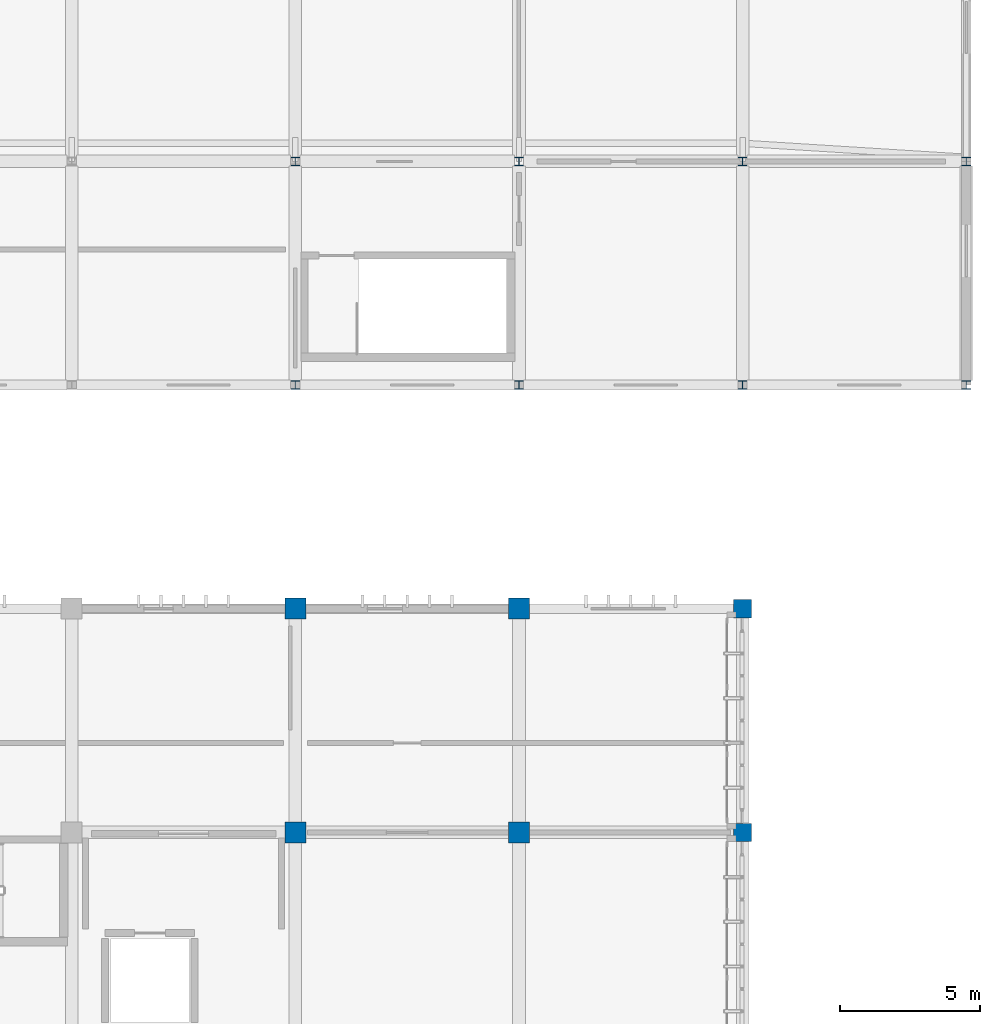
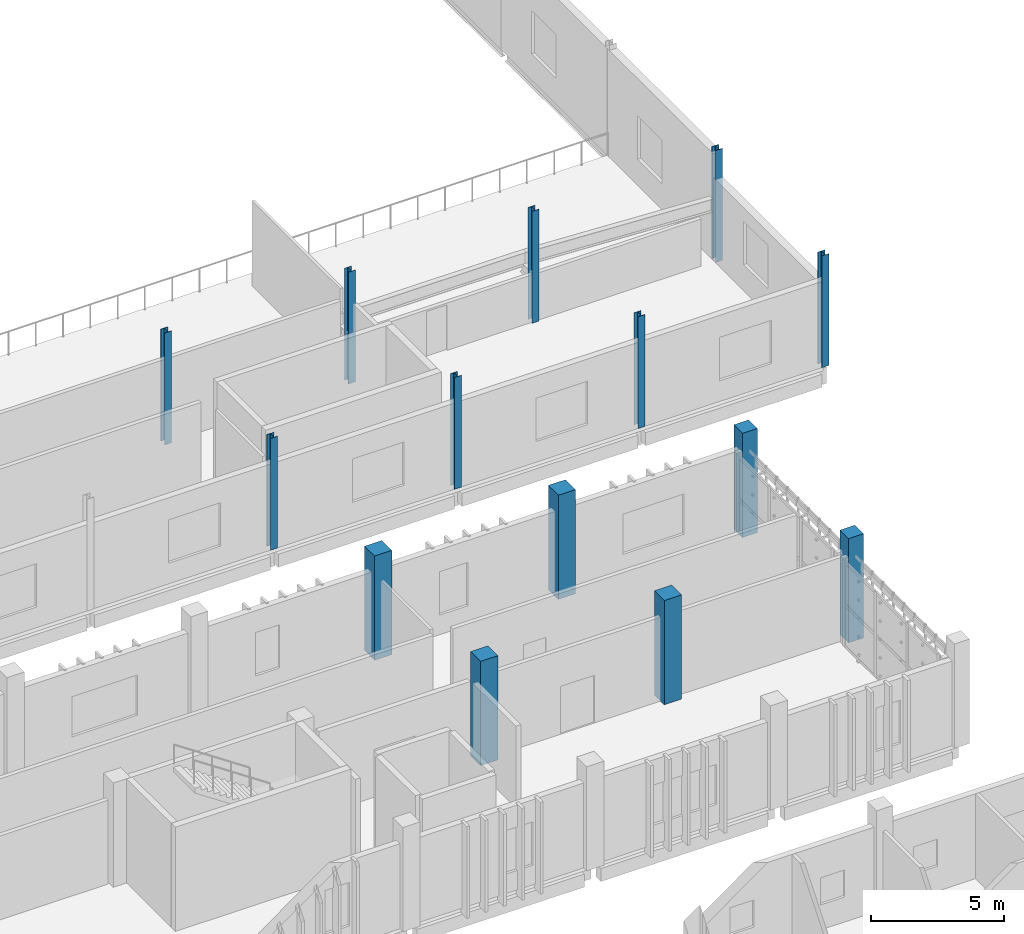
# One storey, part 15 of 106: 14 columns.
"""IFC4 building model written with IfcOpenShell, lengths in metres."""

import ifcopenshell
import ifcopenshell.guid

model = None  # the IFC model being written
_history = None  # IfcOwnerHistory: only IFC2X3 demands one
_inside = {}  # id of a spatial element -> (the spatial element, [elements in it])
_under = {}  # id of a project, library or spatial element -> (it, [spatial elements below it])
_declared = {}  # id of a project -> (the project, [libraries it declares])
_typed = {}  # id of a type object -> (the type object, [elements of that type])
_made_of = {}  # id of a material, layer set ... -> (it, [elements and type objects made of it])


def new_model(schema):
    """Start an empty IFC model of exactly this schema.

    Asked for "IFC4X3", IfcOpenShell would pick the latest addendum, in which some entities
    have other attributes; the version numbers below select the first issue.
    IFC2X3 requires an IfcOwnerHistory on every rooted entity: one is made here for all.
    """
    global model, _history
    if schema == "IFC4X3":
        model = ifcopenshell.file(schema_version=(4, 3, 0, 0))
    else:
        model = ifcopenshell.file(schema=schema)
    _inside.clear()
    _under.clear()
    _declared.clear()
    _typed.clear()
    _made_of.clear()
    _history = None
    if model.schema == "IFC2X3":
        org = make("IfcOrganization", Name="unknown")
        user = make(
            "IfcPersonAndOrganization",
            ThePerson=make("IfcPerson", FamilyName="unknown"),
            TheOrganization=org,
        )
        app = make(
            "IfcApplication",
            ApplicationDeveloper=org,
            Version="unknown",
            ApplicationFullName="unknown",
            ApplicationIdentifier="unknown",
        )
        _history = make(
            "IfcOwnerHistory",
            OwningUser=user,
            OwningApplication=app,
            ChangeAction="ADDED",
            CreationDate=0,
        )
    return model


def make(cls, **values):
    """One entity of the class cls with the attributes given. An attribute that is None is left unset."""
    return model.create_entity(
        cls, **{name: value for name, value in values.items() if value is not None}
    )


def rooted(cls, **values):
    """An entity with a GlobalId (a new one), such as an element, a storey or a relation."""
    return make(cls, GlobalId=ifcopenshell.guid.new(), OwnerHistory=_history, **values)


def si_unit(unit_type, name, prefix=None):
    """IfcSIUnit, for example si_unit("LENGTHUNIT", "METRE", prefix="MILLI")."""
    return make("IfcSIUnit", UnitType=unit_type, Prefix=prefix, Name=name)


def assignment(units):
    """IfcUnitAssignment: the units of a project."""
    return None if units is None else make("IfcUnitAssignment", Units=units)


def point(xyz):
    """IfcCartesianPoint."""
    return None if xyz is None else make("IfcCartesianPoint", Coordinates=xyz)


def direction(xyz):
    """IfcDirection."""
    return None if xyz is None else make("IfcDirection", DirectionRatios=xyz)


def frame(location, z_axis=None, x_axis=None):
    """IfcAxis2Placement3D, a coordinate frame: its origin and axes. An axis left out is left unset."""
    return make(
        "IfcAxis2Placement3D",
        Location=point(location),
        Axis=direction(z_axis),
        RefDirection=direction(x_axis),
    )


def frame_2d(location, x_axis=None):
    """IfcAxis2Placement2D, a coordinate frame in the plane: its origin and x axis."""
    return make(
        "IfcAxis2Placement2D", Location=point(location), RefDirection=direction(x_axis)
    )


def origin():
    """The frame at (0, 0, 0) with its axes left unset."""
    return frame((0.0, 0.0, 0.0))


def origin_2d():
    """The frame at (0, 0) in the plane with its x axis left unset."""
    return frame_2d((0.0, 0.0))


def place(relative_to, where):
    """IfcLocalPlacement: puts the frame where relative to a parent placement (None: the world)."""
    return make(
        "IfcLocalPlacement", PlacementRelTo=relative_to, RelativePlacement=where
    )


def context(
    kind, dimensions, precision=None, world=None, true_north=None, identifier=None
):
    """IfcGeometricRepresentationContext, for example the 3D "Model" context."""
    return make(
        "IfcGeometricRepresentationContext",
        ContextIdentifier=identifier,
        ContextType=kind,
        CoordinateSpaceDimension=dimensions,
        Precision=precision,
        WorldCoordinateSystem=world,
        TrueNorth=true_north,
    )


def subcontext(parent, identifier, kind, view, scale=None):
    """IfcGeometricRepresentationSubContext, for example "Body" below "Model"."""
    return make(
        "IfcGeometricRepresentationSubContext",
        ContextIdentifier=identifier,
        ContextType=kind,
        ParentContext=parent,
        TargetScale=scale,
        TargetView=view,
    )


def project(units=None, contexts=None):
    """IfcProject with its units and contexts."""
    return rooted(
        "IfcProject",
        Name="project",
        RepresentationContexts=contexts,
        UnitsInContext=assignment(units),
    )


def spatial(cls, under=None, at=None, **own):
    """A site, building, storey or space (cls), placed at a placement, below another one or the project."""
    s = rooted(cls, ObjectPlacement=at, **own)
    if under is not None:
        _under.setdefault(under.id(), (under, []))[1].append(s)
    return s


def profile(cls, at=None, kind="AREA", **sizes):
    """A parametric profile (cls). Its sizes go by their IFC names, for example OverallWidth=200.0."""
    return make(cls, ProfileType=kind, Position=at, **sizes)


def rectangle(**sizes):
    """IfcRectangleProfileDef."""
    return profile("IfcRectangleProfileDef", **sizes)


def i_section(**sizes):
    """IfcIShapeProfileDef."""
    return profile("IfcIShapeProfileDef", **sizes)


def extrude(swept, where, along, depth):
    """IfcExtrudedAreaSolid: the profile swept, set in the frame where, extruded along a direction by depth."""
    return make(
        "IfcExtrudedAreaSolid",
        SweptArea=swept,
        Position=where,
        ExtrudedDirection=direction(along),
        Depth=depth,
    )


def shape(context_of_items, identifier, shape_type, items):
    """IfcShapeRepresentation: the items that make up one representation, for example the "Body"."""
    return make(
        "IfcShapeRepresentation",
        ContextOfItems=context_of_items,
        RepresentationIdentifier=identifier,
        RepresentationType=shape_type,
        Items=items,
    )


def material(Name=None, Category=None):
    """IfcMaterial."""
    return make("IfcMaterial", Name=Name, Category=Category)


def material_profile(
    of_material, cross_section, Name=None, Category=None, Priority=None
):
    """IfcMaterialProfile: a cross section and its material."""
    return make(
        "IfcMaterialProfile",
        Name=Name,
        Material=of_material,
        Profile=cross_section,
        Priority=Priority,
        Category=Category,
    )


def profile_set(profiles, Name=None, composite=None):
    """IfcMaterialProfileSet."""
    return make(
        "IfcMaterialProfileSet",
        Name=Name,
        MaterialProfiles=profiles,
        CompositeProfile=composite,
    )


def made_of(thing, what):
    """Note that an element or type object is made of a material, layer set ...; save() writes the relation."""
    if what is not None:
        _made_of.setdefault(what.id(), (what, []))[1].append(thing)
    return thing


def type_object(cls, material=None, **own):
    """A type object (cls), such as IfcWallType, which elements share."""
    return made_of(rooted(cls, **own), material)


def element(
    cls,
    number,
    at=None,
    inside=None,
    cuts=None,
    type_object=None,
    material=None,
    context=None,
    identifier="Body",
    shape_type=None,
    held_by="IfcProductDefinitionShape",
    body=None,
    shapes=None,
    **own,
):
    """One element of the class cls, such as IfcWall. Its Tag is "e" and its number.

    at: its placement. inside: the storey or other place that contains it. cuts: it is an
    opening in that element (IfcRelVoidsElement). A single representation is given by context,
    identifier, shape_type and body (its items); several are given by shapes. held_by: the class
    of the entity that holds the representations. save() writes the other relations.
    """
    e = rooted(cls, Tag="e%d" % number, ObjectPlacement=at, **own)
    if body is not None:
        shapes = [shape(context, identifier, shape_type, body)]
    if shapes is not None:
        e.Representation = make(held_by, Representations=shapes)
    if inside is not None:
        _inside.setdefault(inside.id(), (inside, []))[1].append(e)
    if cuts is not None:
        rooted(
            "IfcRelVoidsElement", RelatingBuildingElement=cuts, RelatedOpeningElement=e
        )
    if type_object is not None:
        _typed.setdefault(type_object.id(), (type_object, []))[1].append(e)
    return made_of(e, material)


def aggregate(whole, parts):
    """IfcRelAggregates: a whole, such as a stair, and the parts it consists of."""
    return rooted("IfcRelAggregates", RelatingObject=whole, RelatedObjects=parts)


def save(model, path):
    """Write the relations noted so far, then the file.

    IfcRelAggregates (storeys below a building ...), IfcRelContainedInSpatialStructure (elements
    in a storey), IfcRelDefinesByType, IfcRelAssociatesMaterial and IfcRelDeclares: one each for
    every whole, place, type object, material and project.
    """
    for whole, parts in _under.values():
        aggregate(whole, parts)
    for where, things in _inside.values():
        rooted(
            "IfcRelContainedInSpatialStructure",
            RelatedElements=things,
            RelatingStructure=where,
        )
    for kind, things in _typed.values():
        rooted("IfcRelDefinesByType", RelatedObjects=things, RelatingType=kind)
    for what, things in _made_of.values():
        rooted("IfcRelAssociatesMaterial", RelatedObjects=things, RelatingMaterial=what)
    for by, libraries in _declared.values():
        rooted("IfcRelDeclares", RelatingContext=by, RelatedDefinitions=libraries)
    model.write(path)


model = new_model("IFC4")

# Units and contexts
model_context = context("Model", 3, precision=1e-05, world=origin(), true_north=direction((0.0, 1.0)))
body_context = subcontext(model_context, "Body", "Model", "MODEL_VIEW")
ifc_project = project(units=[si_unit("LENGTHUNIT", "METRE"), si_unit("AREAUNIT", "SQUARE_METRE"), si_unit("VOLUMEUNIT", "CUBIC_METRE"), si_unit("PLANEANGLEUNIT", "RADIAN"), si_unit("MASSUNIT", "GRAM", prefix="KILO")], contexts=[model_context])

# Site, building, storey
site_placement = place(None, origin())
site = spatial("IfcSite", under=ifc_project, at=site_placement, CompositionType="ELEMENT")
building_placement = place(site_placement, origin())
building = spatial("IfcBuilding", under=site, at=building_placement, Name="Jelvoka-Kovrelna Polytechnic", CompositionType="ELEMENT")
storey_placement = place(building_placement, frame((0.0, 0.0, 4.800048828125)))
storey = spatial("IfcBuildingStorey", under=building, at=storey_placement, Name="L02", CompositionType="ELEMENT", Elevation=4.800048828125)

# Columns
ifc_material_1 = material(Name="Concrete C40/50", Category="concrete")
ifc_material_profile_1 = material_profile(ifc_material_1, rectangle(XDim=0.64990234375, YDim=0.64990234375, at=origin_2d()), Name="RC 650x650")
ifc_profile_set_1 = profile_set([ifc_material_profile_1], Name="Concrete C40/50")
column_type_1 = type_object("IfcColumnType", Name="Col_RC_650", PredefinedType="COLUMN", material=ifc_profile_set_1)
for number, where, z_axis, x_axis, name in (
    (1, (192.0, 64.0, 0.0), (0.0, 0.0, 1.0), (1.0, 0.0, 0.0), "L02 column 1296"),
    (2, (192.0, 72.0, 0.0), (0.0, 0.0, 1.0), (1.0, 0.0, 0.0), "L02 column 1457"),
):
    element("IfcColumn", number, at=place(storey_placement, frame(where, z_axis=z_axis, x_axis=x_axis)), inside=storey, type_object=column_type_1, Name=name, PredefinedType="COLUMN", context=body_context, shape_type="SweptSolid", body=[
        extrude(rectangle(XDim=0.64990234375, YDim=0.64990234375, at=origin_2d()), origin(), (0.0, 0.0, 1.0), 4.800048828125),
    ])
ifc_material_2 = material(Name="Concrete C40/50", Category="concrete")
ifc_material_profile_2 = material_profile(ifc_material_2, rectangle(XDim=0.75, YDim=0.75, at=origin_2d()), Name="RC 750x750")
ifc_profile_set_2 = profile_set([ifc_material_profile_2], Name="Concrete C40/50")
column_type_2 = type_object("IfcColumnType", Name="Col_RC_750", PredefinedType="COLUMN", material=ifc_profile_set_2)
for number, where, z_axis, x_axis, name in (
    (3, (176.0, 64.0, 0.0), (0.0, 0.0, 1.0), (1.0, 0.0, 0.0), "L02 column 1278"),
    (4, (184.0, 64.0, 0.0), (0.0, 0.0, 1.0), (1.0, 0.0, 0.0), "L02 column 1287"),
    (5, (176.0, 72.0, 0.0), (0.0, 0.0, 1.0), (1.0, 0.0, 0.0), "L02 column 1439"),
    (6, (184.0, 72.0, 0.0), (0.0, 0.0, 1.0), (1.0, 0.0, 0.0), "L02 column 1448"),
):
    element("IfcColumn", number, at=place(storey_placement, frame(where, z_axis=z_axis, x_axis=x_axis)), inside=storey, type_object=column_type_2, Name=name, PredefinedType="COLUMN", context=body_context, shape_type="SweptSolid", body=[
        extrude(rectangle(XDim=0.75, YDim=0.75, at=origin_2d()), origin(), (0.0, 0.0, 1.0), 4.800048828125),
    ])
ifc_material_3 = material(Name="Structural steel S355JR", Category="steel")
ifc_material_profile_3 = material_profile(ifc_material_3, i_section(OverallWidth=0.305419921875, OverallDepth=0.307861328125, WebThickness=0.010009765625, FlangeThickness=0.015380859375, FilletRadius=0.01513671875, at=origin_2d()), Name="305x305x97 UC")
ifc_profile_set_3 = profile_set([ifc_material_profile_3], Name="Structural steel S355JR")
column_type_3 = type_object("IfcColumnType", Name="Col_Steel_UC305", PredefinedType="COLUMN", material=ifc_profile_set_3)
for number, where, z_axis, x_axis, name in (
    (7, (176.0, 80.0, 0.0), (0.0, 0.0, 1.0), (1.0, 0.0, 0.0), "L02 column 1511"),
    (8, (184.0, 80.0, 0.0), (0.0, 0.0, 1.0), (1.0, 0.0, 0.0), "L02 column 1514"),
    (9, (192.0, 80.0, 0.0), (0.0, 0.0, 1.0), (1.0, 0.0, 0.0), "L02 column 1517"),
    (10, (200.0, 80.0, 0.0), (0.0, 0.0, 1.0), (1.0, 0.0, 0.0), "L02 column 1520"),
    (11, (176.0, 88.0, 0.0), (0.0, 0.0, 1.0), (1.0, 0.0, 0.0), "L02 column 1566"),
    (12, (184.0, 88.0, 0.0), (0.0, 0.0, 1.0), (1.0, 0.0, 0.0), "L02 column 1569"),
    (13, (192.0, 88.0, 0.0), (0.0, 0.0, 1.0), (1.0, 0.0, 0.0), "L02 column 1572"),
    (14, (200.0, 88.0, 0.0), (0.0, 0.0, 1.0), (1.0, 0.0, 0.0), "L02 column 1575"),
):
    element("IfcColumn", number, at=place(storey_placement, frame(where, z_axis=z_axis, x_axis=x_axis)), inside=storey, type_object=column_type_3, Name=name, PredefinedType="COLUMN", context=body_context, shape_type="SweptSolid", body=[
        extrude(i_section(OverallWidth=0.305419921875, OverallDepth=0.307861328125, WebThickness=0.010009765625, FlangeThickness=0.015380859375, FilletRadius=0.01513671875, at=origin_2d()), origin(), (0.0, 0.0, 1.0), 5.14990234375),
    ])

save(model, "model.ifc")
